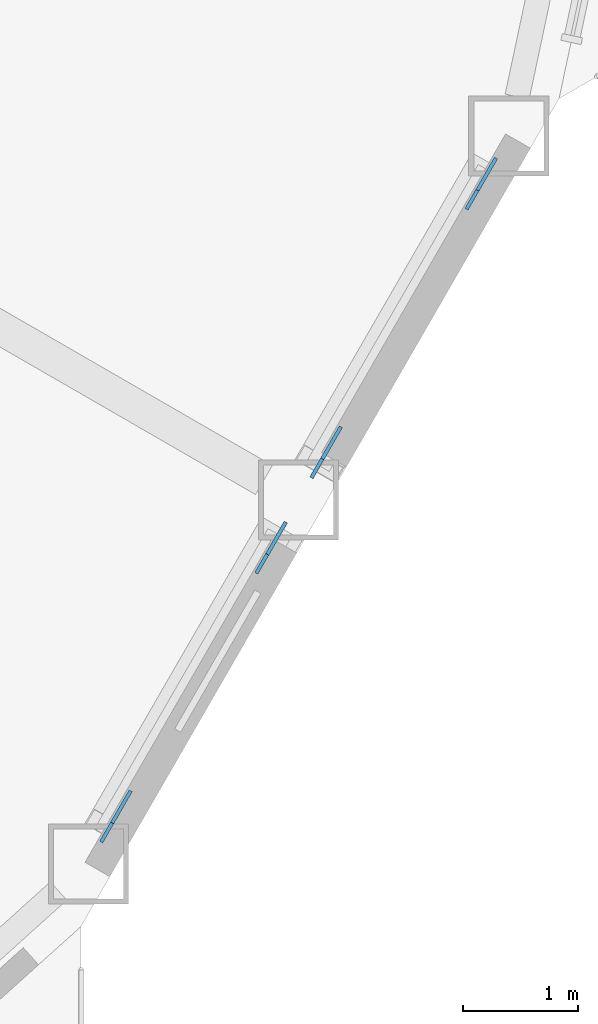
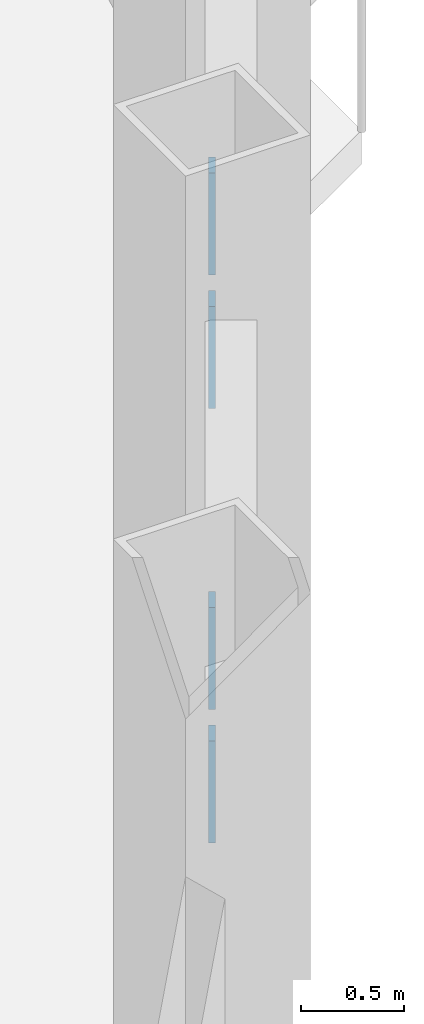
# One storey, part 17 of 23: 4 discrete accessories.
"""IFC4 building model written with IfcOpenShell, lengths in metres."""

from ifc_helpers import new_model, si_unit, direction, frame, origin, origin_2d, place, context, subcontext, project, spatial, rectangle, extrude, material, material_profile, profile_set, type_object, element, save


model = new_model("IFC4")

# Units and contexts
model_context = context("Model", 3, precision=1e-05, world=origin(), true_north=direction((0.0, 1.0)))
body_context = subcontext(model_context, "Body", "Model", "MODEL_VIEW")
ifc_project = project(units=[si_unit("LENGTHUNIT", "METRE"), si_unit("AREAUNIT", "SQUARE_METRE"), si_unit("VOLUMEUNIT", "CUBIC_METRE"), si_unit("PLANEANGLEUNIT", "RADIAN"), si_unit("MASSUNIT", "GRAM", prefix="KILO")], contexts=[model_context])

# Site, building, storey
site_placement = place(None, origin())
site = spatial("IfcSite", under=ifc_project, at=site_placement, CompositionType="ELEMENT")
building_placement = place(site_placement, origin())
building = spatial("IfcBuilding", under=site, at=building_placement, Name="Cormorant Prow Tower", CompositionType="ELEMENT")
storey_placement = place(building_placement, frame((0.0, 0.0, 241.800048828125)))
storey = spatial("IfcBuildingStorey", under=building, at=storey_placement, Name="L53", CompositionType="ELEMENT", Elevation=241.800048828125)

# Discrete accessories
ifc_material = material(Name="Structural steel ASTM A500 Gr C", Category="steel")
ifc_material_profile = material_profile(ifc_material, rectangle(XDim=0.031982421875, YDim=0.506103515625, at=origin_2d()), Name="Gusset plate 32x506")
ifc_profile_set = profile_set([ifc_material_profile], Name="Structural steel ASTM A500 Gr C")
discrete_accessory_type = type_object("IfcDiscreteAccessoryType", Name="Gusset plate 32x506", PredefinedType="BRACKET", material=ifc_profile_set)
discrete_accessory_1_placement = place(storey_placement, frame((27.454833984375, -16.59375, 0.863037109375), z_axis=(0.462538490196, 0.801593854051, -0.378821116405), x_axis=(-0.866147934042, 0.499787711288, 0.0)))
element("IfcDiscreteAccessory", 1, at=discrete_accessory_1_placement, inside=storey, type_object=discrete_accessory_type, Name="Gusset plate GP2 L53.ESE00.g0", PredefinedType="BRACKET", context=body_context, shape_type="SweptSolid", body=[
    extrude(rectangle(XDim=0.031982421875, YDim=0.506103515625, at=origin_2d()), origin(), (0.0, 0.0, 1.0), 0.349853515625),
])
discrete_accessory_2_placement = place(storey_placement, frame((26.262939453125, -18.658203125, 1.837890625), z_axis=(-0.462949952395, -0.801795851286, 0.37788987078), x_axis=(0.866010015463, -0.500026652407, 0.0)))
element("IfcDiscreteAccessory", 2, at=discrete_accessory_2_placement, inside=storey, type_object=discrete_accessory_type, Name="Gusset plate GP2 L53.ESE00.g1", PredefinedType="BRACKET", context=body_context, shape_type="SweptSolid", body=[
    extrude(rectangle(XDim=0.031982421875, YDim=0.506103515625, at=origin_2d()), origin(), (0.0, 0.0, 1.0), 0.35009765625),
])
discrete_accessory_3_placement = place(storey_placement, frame((29.2900390625, -13.4150390625, 0.863037109375), z_axis=(0.462538490196, 0.801593854051, -0.378821116405), x_axis=(-0.866147934042, 0.499787711288, 0.0)))
element("IfcDiscreteAccessory", 3, at=discrete_accessory_3_placement, inside=storey, type_object=discrete_accessory_type, Name="Gusset plate GP2 L53.ESE01.g0", PredefinedType="BRACKET", context=body_context, shape_type="SweptSolid", body=[
    extrude(rectangle(XDim=0.031982421875, YDim=0.506103515625, at=origin_2d()), origin(), (0.0, 0.0, 1.0), 0.349853515625),
])
discrete_accessory_4_placement = place(storey_placement, frame((28.09814453125, -15.4794921875, 1.837890625), z_axis=(-0.462949952395, -0.801795851286, 0.37788987078), x_axis=(0.866010015463, -0.500026652407, 0.0)))
element("IfcDiscreteAccessory", 4, at=discrete_accessory_4_placement, inside=storey, type_object=discrete_accessory_type, Name="Gusset plate GP2 L53.ESE01.g1", PredefinedType="BRACKET", context=body_context, shape_type="SweptSolid", body=[
    extrude(rectangle(XDim=0.031982421875, YDim=0.506103515625, at=origin_2d()), origin(), (0.0, 0.0, 1.0), 0.35009765625),
])

save(model, "model.ifc")
